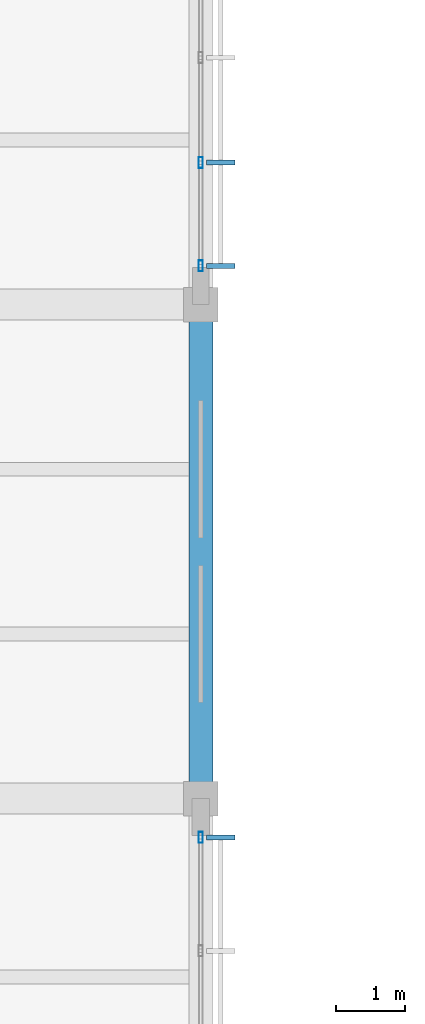
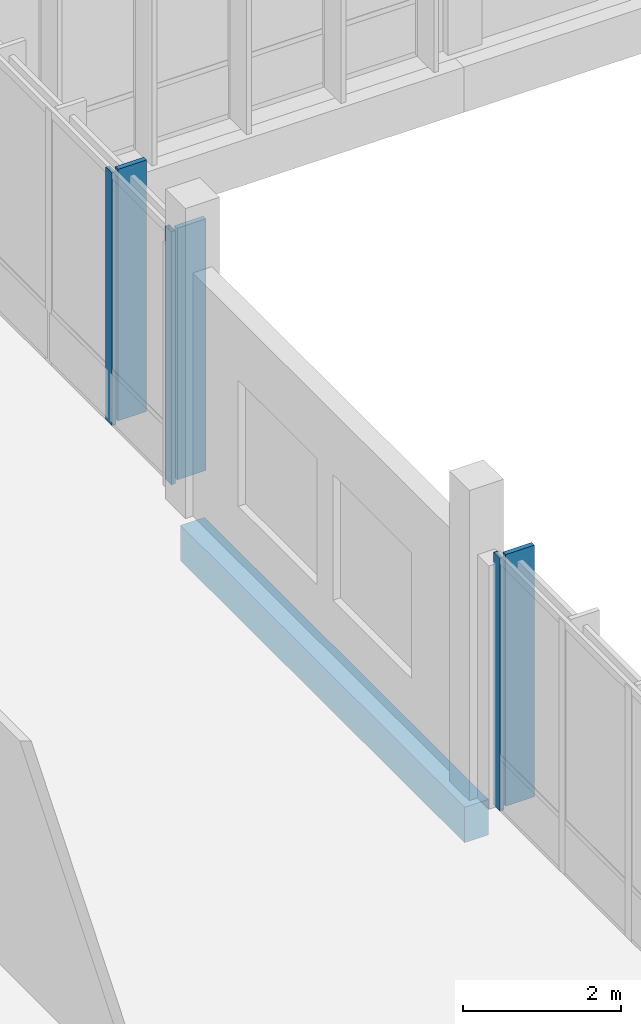
# One storey, part 67 of 177: 6 members, 1 beam, 2 elements without a shape of their own.
"""IFC4 building model written with IfcOpenShell, lengths in metres."""

import ifcopenshell
import ifcopenshell.guid

model = None  # the IFC model being written
_history = None  # IfcOwnerHistory: only IFC2X3 demands one
_inside = {}  # id of a spatial element -> (the spatial element, [elements in it])
_under = {}  # id of a project, library or spatial element -> (it, [spatial elements below it])
_declared = {}  # id of a project -> (the project, [libraries it declares])
_typed = {}  # id of a type object -> (the type object, [elements of that type])
_made_of = {}  # id of a material, layer set ... -> (it, [elements and type objects made of it])


def new_model(schema):
    """Start an empty IFC model of exactly this schema.

    Asked for "IFC4X3", IfcOpenShell would pick the latest addendum, in which some entities
    have other attributes; the version numbers below select the first issue.
    IFC2X3 requires an IfcOwnerHistory on every rooted entity: one is made here for all.
    """
    global model, _history
    if schema == "IFC4X3":
        model = ifcopenshell.file(schema_version=(4, 3, 0, 0))
    else:
        model = ifcopenshell.file(schema=schema)
    _inside.clear()
    _under.clear()
    _declared.clear()
    _typed.clear()
    _made_of.clear()
    _history = None
    if model.schema == "IFC2X3":
        org = make("IfcOrganization", Name="unknown")
        user = make(
            "IfcPersonAndOrganization",
            ThePerson=make("IfcPerson", FamilyName="unknown"),
            TheOrganization=org,
        )
        app = make(
            "IfcApplication",
            ApplicationDeveloper=org,
            Version="unknown",
            ApplicationFullName="unknown",
            ApplicationIdentifier="unknown",
        )
        _history = make(
            "IfcOwnerHistory",
            OwningUser=user,
            OwningApplication=app,
            ChangeAction="ADDED",
            CreationDate=0,
        )
    return model


def make(cls, **values):
    """One entity of the class cls with the attributes given. An attribute that is None is left unset."""
    return model.create_entity(
        cls, **{name: value for name, value in values.items() if value is not None}
    )


def rooted(cls, **values):
    """An entity with a GlobalId (a new one), such as an element, a storey or a relation."""
    return make(cls, GlobalId=ifcopenshell.guid.new(), OwnerHistory=_history, **values)


def si_unit(unit_type, name, prefix=None):
    """IfcSIUnit, for example si_unit("LENGTHUNIT", "METRE", prefix="MILLI")."""
    return make("IfcSIUnit", UnitType=unit_type, Prefix=prefix, Name=name)


def assignment(units):
    """IfcUnitAssignment: the units of a project."""
    return None if units is None else make("IfcUnitAssignment", Units=units)


def point(xyz):
    """IfcCartesianPoint."""
    return None if xyz is None else make("IfcCartesianPoint", Coordinates=xyz)


def direction(xyz):
    """IfcDirection."""
    return None if xyz is None else make("IfcDirection", DirectionRatios=xyz)


def frame(location, z_axis=None, x_axis=None):
    """IfcAxis2Placement3D, a coordinate frame: its origin and axes. An axis left out is left unset."""
    return make(
        "IfcAxis2Placement3D",
        Location=point(location),
        Axis=direction(z_axis),
        RefDirection=direction(x_axis),
    )


def frame_2d(location, x_axis=None):
    """IfcAxis2Placement2D, a coordinate frame in the plane: its origin and x axis."""
    return make(
        "IfcAxis2Placement2D", Location=point(location), RefDirection=direction(x_axis)
    )


def origin():
    """The frame at (0, 0, 0) with its axes left unset."""
    return frame((0.0, 0.0, 0.0))


def origin_2d():
    """The frame at (0, 0) in the plane with its x axis left unset."""
    return frame_2d((0.0, 0.0))


def place(relative_to, where):
    """IfcLocalPlacement: puts the frame where relative to a parent placement (None: the world)."""
    return make(
        "IfcLocalPlacement", PlacementRelTo=relative_to, RelativePlacement=where
    )


def context(
    kind, dimensions, precision=None, world=None, true_north=None, identifier=None
):
    """IfcGeometricRepresentationContext, for example the 3D "Model" context."""
    return make(
        "IfcGeometricRepresentationContext",
        ContextIdentifier=identifier,
        ContextType=kind,
        CoordinateSpaceDimension=dimensions,
        Precision=precision,
        WorldCoordinateSystem=world,
        TrueNorth=true_north,
    )


def subcontext(parent, identifier, kind, view, scale=None):
    """IfcGeometricRepresentationSubContext, for example "Body" below "Model"."""
    return make(
        "IfcGeometricRepresentationSubContext",
        ContextIdentifier=identifier,
        ContextType=kind,
        ParentContext=parent,
        TargetScale=scale,
        TargetView=view,
    )


def project(units=None, contexts=None):
    """IfcProject with its units and contexts."""
    return rooted(
        "IfcProject",
        Name="project",
        RepresentationContexts=contexts,
        UnitsInContext=assignment(units),
    )


def spatial(cls, under=None, at=None, **own):
    """A site, building, storey or space (cls), placed at a placement, below another one or the project."""
    s = rooted(cls, ObjectPlacement=at, **own)
    if under is not None:
        _under.setdefault(under.id(), (under, []))[1].append(s)
    return s


def profile(cls, at=None, kind="AREA", **sizes):
    """A parametric profile (cls). Its sizes go by their IFC names, for example OverallWidth=200.0."""
    return make(cls, ProfileType=kind, Position=at, **sizes)


def rectangle(**sizes):
    """IfcRectangleProfileDef."""
    return profile("IfcRectangleProfileDef", **sizes)


def hollow_rectangle(**sizes):
    """IfcRectangleHollowProfileDef."""
    return profile("IfcRectangleHollowProfileDef", **sizes)


def extrude(swept, where, along, depth):
    """IfcExtrudedAreaSolid: the profile swept, set in the frame where, extruded along a direction by depth."""
    return make(
        "IfcExtrudedAreaSolid",
        SweptArea=swept,
        Position=where,
        ExtrudedDirection=direction(along),
        Depth=depth,
    )


def shape(context_of_items, identifier, shape_type, items):
    """IfcShapeRepresentation: the items that make up one representation, for example the "Body"."""
    return make(
        "IfcShapeRepresentation",
        ContextOfItems=context_of_items,
        RepresentationIdentifier=identifier,
        RepresentationType=shape_type,
        Items=items,
    )


def material(Name=None, Category=None):
    """IfcMaterial."""
    return make("IfcMaterial", Name=Name, Category=Category)


def material_profile(
    of_material, cross_section, Name=None, Category=None, Priority=None
):
    """IfcMaterialProfile: a cross section and its material."""
    return make(
        "IfcMaterialProfile",
        Name=Name,
        Material=of_material,
        Profile=cross_section,
        Priority=Priority,
        Category=Category,
    )


def profile_set(profiles, Name=None, composite=None):
    """IfcMaterialProfileSet."""
    return make(
        "IfcMaterialProfileSet",
        Name=Name,
        MaterialProfiles=profiles,
        CompositeProfile=composite,
    )


def made_of(thing, what):
    """Note that an element or type object is made of a material, layer set ...; save() writes the relation."""
    if what is not None:
        _made_of.setdefault(what.id(), (what, []))[1].append(thing)
    return thing


def type_object(cls, material=None, **own):
    """A type object (cls), such as IfcWallType, which elements share."""
    return made_of(rooted(cls, **own), material)


def element(
    cls,
    number,
    at=None,
    inside=None,
    cuts=None,
    type_object=None,
    material=None,
    context=None,
    identifier="Body",
    shape_type=None,
    held_by="IfcProductDefinitionShape",
    body=None,
    shapes=None,
    **own,
):
    """One element of the class cls, such as IfcWall. Its Tag is "e" and its number.

    at: its placement. inside: the storey or other place that contains it. cuts: it is an
    opening in that element (IfcRelVoidsElement). A single representation is given by context,
    identifier, shape_type and body (its items); several are given by shapes. held_by: the class
    of the entity that holds the representations. save() writes the other relations.
    """
    e = rooted(cls, Tag="e%d" % number, ObjectPlacement=at, **own)
    if body is not None:
        shapes = [shape(context, identifier, shape_type, body)]
    if shapes is not None:
        e.Representation = make(held_by, Representations=shapes)
    if inside is not None:
        _inside.setdefault(inside.id(), (inside, []))[1].append(e)
    if cuts is not None:
        rooted(
            "IfcRelVoidsElement", RelatingBuildingElement=cuts, RelatedOpeningElement=e
        )
    if type_object is not None:
        _typed.setdefault(type_object.id(), (type_object, []))[1].append(e)
    return made_of(e, material)


def aggregate(whole, parts):
    """IfcRelAggregates: a whole, such as a stair, and the parts it consists of."""
    return rooted("IfcRelAggregates", RelatingObject=whole, RelatedObjects=parts)


def save(model, path):
    """Write the relations noted so far, then the file.

    IfcRelAggregates (storeys below a building ...), IfcRelContainedInSpatialStructure (elements
    in a storey), IfcRelDefinesByType, IfcRelAssociatesMaterial and IfcRelDeclares: one each for
    every whole, place, type object, material and project.
    """
    for whole, parts in _under.values():
        aggregate(whole, parts)
    for where, things in _inside.values():
        rooted(
            "IfcRelContainedInSpatialStructure",
            RelatedElements=things,
            RelatingStructure=where,
        )
    for kind, things in _typed.values():
        rooted("IfcRelDefinesByType", RelatedObjects=things, RelatingType=kind)
    for what, things in _made_of.values():
        rooted("IfcRelAssociatesMaterial", RelatedObjects=things, RelatingMaterial=what)
    for by, libraries in _declared.values():
        rooted("IfcRelDeclares", RelatingContext=by, RelatedDefinitions=libraries)
    model.write(path)


model = new_model("IFC4")

# Units and contexts
model_context = context("Model", 3, precision=1e-05, world=origin(), true_north=direction((0.0, 1.0)))
body_context = subcontext(model_context, "Body", "Model", "MODEL_VIEW")
ifc_project = project(units=[si_unit("LENGTHUNIT", "METRE"), si_unit("AREAUNIT", "SQUARE_METRE"), si_unit("VOLUMEUNIT", "CUBIC_METRE"), si_unit("PLANEANGLEUNIT", "RADIAN"), si_unit("MASSUNIT", "GRAM", prefix="KILO")], contexts=[model_context])

# Site, building, storey
site_placement = place(None, origin())
site = spatial("IfcSite", under=ifc_project, at=site_placement, CompositionType="ELEMENT")
building_placement = place(site_placement, origin())
building = spatial("IfcBuilding", under=site, at=building_placement, Name="Chiffa Square Polytechnic", CompositionType="ELEMENT")
storey_placement = place(building_placement, frame((0.0, 0.0, 4.800048828125)))
storey = spatial("IfcBuildingStorey", under=building, at=storey_placement, Name="L01", CompositionType="ELEMENT", Elevation=4.800048828125)

# Beam
ifc_material_1 = material(Name="Concrete C35/45", Category="concrete")
ifc_material_profile_1 = material_profile(ifc_material_1, rectangle(XDim=0.35009765625, YDim=0.550048828125, at=origin_2d()), Name="RC 350x550")
ifc_profile_set_1 = profile_set([ifc_material_profile_1], Name="Concrete C35/45")
beam_type = type_object("IfcBeamType", Name="BM-RC-350X550", PredefinedType="BEAM", material=ifc_profile_set_1)
beam_placement = place(storey_placement, frame((32.0, 65.39990234375, -0.554931640625), z_axis=(0.0, 1.0, 0.0), x_axis=(-1.0, 0.0, 0.0)))
element("IfcBeam", 1, at=beam_placement, inside=storey, type_object=beam_type, Name="Primary floor girder BM-V6-L01-Y-0320-0654", PredefinedType="BEAM", context=body_context, shape_type="SweptSolid", body=[
    extrude(rectangle(XDim=0.35009765625, YDim=0.550048828125, at=origin_2d()), origin(), (0.0, 0.0, 1.0), 7.2001953125),
])

# Curtain wall, member
ifc_material_2 = material(Name="Aluminium EN AW-6060 T66 and glulam shading", Category="wood")
curtain_wall_type_1 = type_object("IfcCurtainWallType", Name="CW-VERT-540X440", PredefinedType="USERDEFINED", material=ifc_material_2)
curtain_wall_1_placement = place(storey_placement, origin())
curtain_wall_1 = element("IfcCurtainWall", 2, at=curtain_wall_1_placement, inside=storey, type_object=curtain_wall_type_1, Name="Curtain wall CW-V6-L01-255", ObjectType="CURTAIN WALL", PredefinedType="USERDEFINED")
ifc_material_3 = material(Name="Aluminium EN AW-6060 T66", Category="aluminium")
ifc_material_profile_2 = material_profile(ifc_material_3, hollow_rectangle(XDim=0.06005859375, YDim=0.159912109375, WallThickness=0.00390625, at=origin_2d()), Name="ALU 60x160x4")
ifc_profile_set_2 = profile_set([ifc_material_profile_2], Name="Aluminium EN AW-6060 T66")
member_type_1 = type_object("IfcMemberType", Name="CWM-ALU-65X150", PredefinedType="MULLION", material=ifc_profile_set_2)
member_1_placement = place(storey_placement, frame((32.0, 64.8349609375, 0.0), z_axis=(0.0, 0.0, 1.0), x_axis=(1.0, 0.0, 0.0)))
member_1 = element("IfcMember", 3, at=member_1_placement, type_object=member_type_1, Name="Curtain wall mullion CW-V6-L01-255-M04", PredefinedType="MULLION", context=body_context, shape_type="SweptSolid", body=[
    extrude(hollow_rectangle(XDim=0.06005859375, YDim=0.159912109375, WallThickness=0.00390625, at=origin_2d()), origin(), (0.0, 0.0, 1.0), 3.9150390625),
])

# Curtain wall, members
curtain_wall_type_2 = type_object("IfcCurtainWallType", Name="CW-VERT-450X440", PredefinedType="USERDEFINED", material=ifc_material_2)
curtain_wall_2_placement = place(storey_placement, origin())
curtain_wall_2 = element("IfcCurtainWall", 4, at=curtain_wall_2_placement, inside=storey, type_object=curtain_wall_type_2, Name="Curtain wall CW-V6-L01-256", ObjectType="CURTAIN WALL", PredefinedType="USERDEFINED")
member_2_placement = place(storey_placement, frame((32.0, 73.1650390625, 0.0), z_axis=(0.0, 0.0, 1.0), x_axis=(1.0, 0.0, 0.0)))
member_2 = element("IfcMember", 5, at=member_2_placement, type_object=member_type_1, Name="Curtain wall mullion CW-V6-L01-256-M00", PredefinedType="MULLION", context=body_context, shape_type="SweptSolid", body=[
    extrude(hollow_rectangle(XDim=0.06005859375, YDim=0.159912109375, WallThickness=0.00390625, at=origin_2d()), origin(), (0.0, 0.0, 1.0), 3.9150390625),
])
member_3_placement = place(storey_placement, frame((32.0, 74.669921875, 0.0), z_axis=(0.0, 0.0, 1.0), x_axis=(1.0, 0.0, 0.0)))
member_3 = element("IfcMember", 6, at=member_3_placement, type_object=member_type_1, Name="Curtain wall mullion CW-V6-L01-256-M01", PredefinedType="MULLION", context=body_context, shape_type="SweptSolid", body=[
    extrude(hollow_rectangle(XDim=0.06005859375, YDim=0.159912109375, WallThickness=0.00390625, at=origin_2d()), origin(), (0.0, 0.0, 1.0), 3.9150390625),
])

# Member
ifc_material_4 = material(Name="Glulam GL28h", Category="wood")
ifc_material_profile_3 = material_profile(ifc_material_4, rectangle(XDim=0.070068359375, YDim=0.419921875, at=origin_2d()), Name="GL28h 70x420")
ifc_profile_set_3 = profile_set([ifc_material_profile_3], Name="Glulam GL28h")
member_type_2 = type_object("IfcMemberType", Name="CWM-GL-70X420", PredefinedType="MULLION", material=ifc_profile_set_3)
member_4_placement = place(storey_placement, frame((32.2919921875, 64.8349609375, 0.010009765625), z_axis=(0.0, 0.0, 1.0), x_axis=(0.0, 1.0, 0.0)))
member_4 = element("IfcMember", 7, at=member_4_placement, type_object=member_type_2, Name="Exterior glulam solar fin CW-V6-L01-255-FN04", PredefinedType="MULLION", context=body_context, shape_type="SweptSolid", body=[
    extrude(rectangle(XDim=0.070068359375, YDim=0.419921875, at=origin_2d()), origin(), (0.0, 0.0, 1.0), 3.89501953125),
])

aggregate(curtain_wall_1, [member_1, member_4])

member_5_placement = place(storey_placement, frame((32.2919921875, 73.1650390625, 0.010009765625), z_axis=(0.0, 0.0, 1.0), x_axis=(0.0, 1.0, 0.0)))
member_5 = element("IfcMember", 8, at=member_5_placement, type_object=member_type_2, Name="Exterior glulam solar fin CW-V6-L01-256-FN00", PredefinedType="MULLION", context=body_context, shape_type="SweptSolid", body=[
    extrude(rectangle(XDim=0.070068359375, YDim=0.419921875, at=origin_2d()), origin(), (0.0, 0.0, 1.0), 3.89501953125),
])

member_6_placement = place(storey_placement, frame((32.2919921875, 74.669921875, 0.010009765625), z_axis=(0.0, 0.0, 1.0), x_axis=(0.0, 1.0, 0.0)))
member_6 = element("IfcMember", 9, at=member_6_placement, type_object=member_type_2, Name="Exterior glulam solar fin CW-V6-L01-256-FN01", PredefinedType="MULLION", context=body_context, shape_type="SweptSolid", body=[
    extrude(rectangle(XDim=0.070068359375, YDim=0.419921875, at=origin_2d()), origin(), (0.0, 0.0, 1.0), 3.89501953125),
])

aggregate(curtain_wall_2, [member_2, member_5, member_3, member_6])

save(model, "model.ifc")
